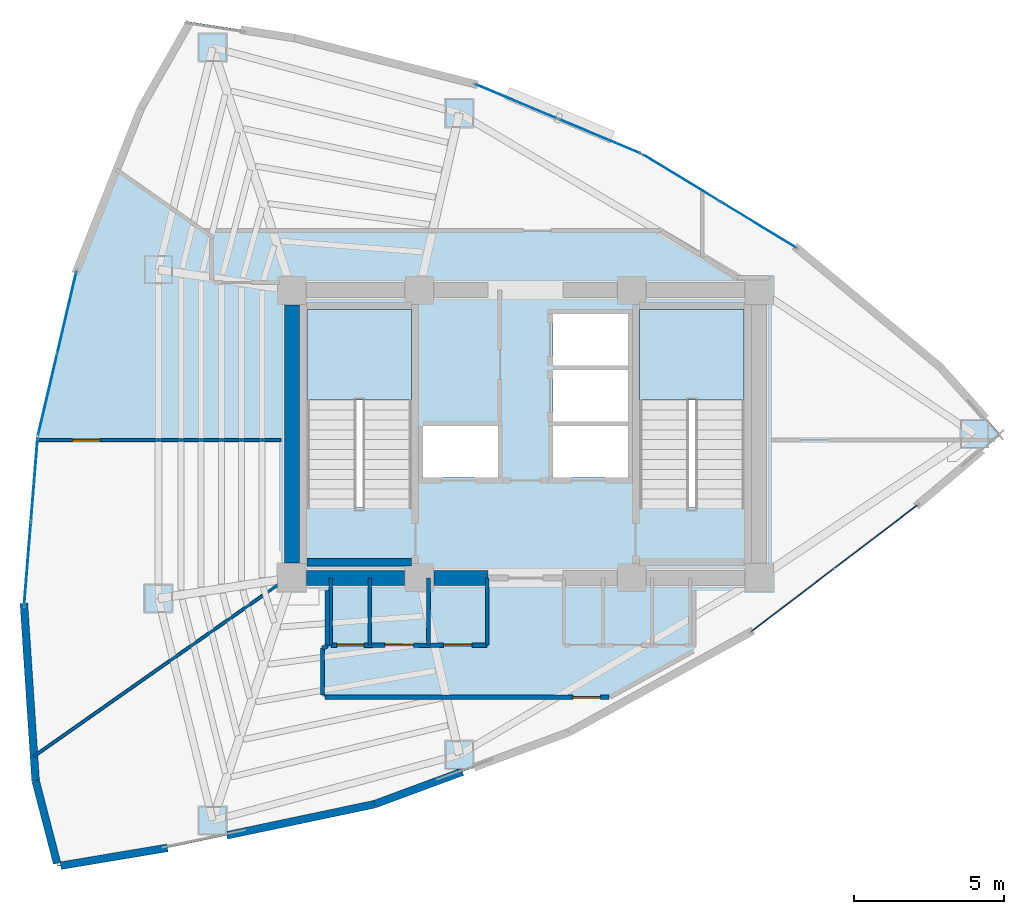
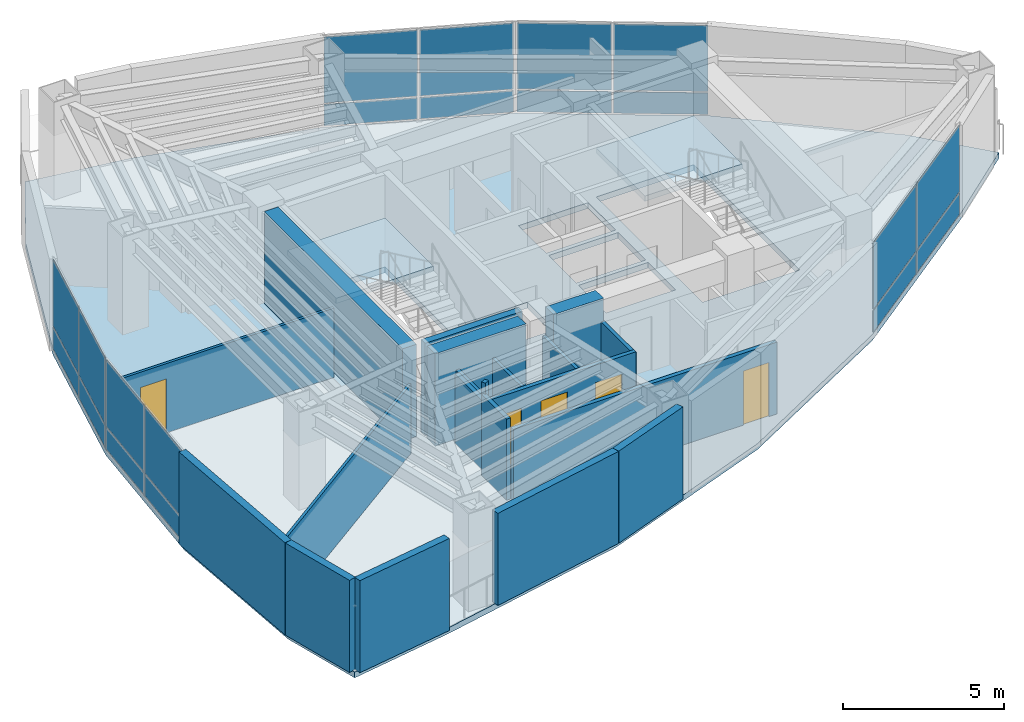
# One storey, part 11 of 15: 20 plates, 20 walls, 5 doors, 3 slabs, 5 openings, 7 elements without a shape of their own.
"""IFC4 building model written with IfcOpenShell, lengths in metres."""

from ifc_helpers import new_model, si_unit, direction, frame, frame_2d, origin, origin_2d, place, context, subcontext, project, spatial, polyline, rectangle, outline, extrude, material, layer, layer_set, type_object, element, fill, aggregate, save


model = new_model("IFC4")

# Units and contexts
model_context = context("Model", 3, precision=1e-05, world=origin(), true_north=direction((0.0, 1.0)))
body_context = subcontext(model_context, "Body", "Model", "MODEL_VIEW")
ifc_project = project(units=[si_unit("LENGTHUNIT", "METRE"), si_unit("AREAUNIT", "SQUARE_METRE"), si_unit("VOLUMEUNIT", "CUBIC_METRE"), si_unit("PLANEANGLEUNIT", "RADIAN"), si_unit("MASSUNIT", "GRAM", prefix="KILO")], contexts=[model_context])

# Site, building, storey
site_placement = place(None, origin())
site = spatial("IfcSite", under=ifc_project, at=site_placement, CompositionType="ELEMENT")
building_placement = place(site_placement, origin())
building = spatial("IfcBuilding", under=site, at=building_placement, Name="Menara Vayukalpa", CompositionType="ELEMENT")
storey_placement = place(building_placement, frame((0.0, 0.0, 176.639892578125)))
storey = spatial("IfcBuildingStorey", under=building, at=storey_placement, Name="L44", CompositionType="ELEMENT", Elevation=176.639892578125)

# Curtain wall, plates
ifc_material_1 = material(Name="Anodised Terracotta Aluminium Alloy 6063-T6", Category="masonry")
ifc_layer_1 = layer(ifc_material_1, 0.139892578125)
ifc_layer_set_1 = layer_set([ifc_layer_1], Name="Anodised Terracotta Aluminium Alloy 6063-T6")
curtain_wall_type = type_object("IfcCurtainWallType", Name="CW-CW5", PredefinedType="USERDEFINED", material=ifc_layer_set_1)
curtain_wall_1_placement = place(storey_placement, origin())
curtain_wall_1 = element("IfcCurtainWall", 1, at=curtain_wall_1_placement, inside=storey, type_object=curtain_wall_type, Name="L44 High Rise Tapered Curtain Wall CW5 04", ObjectType="UNITISED", PredefinedType="USERDEFINED")
ifc_material_2 = material(Name="Low-E Double Glazing", Category="glass")
ifc_layer_2 = layer(ifc_material_2, 0.028076171875)
ifc_layer_set_2 = layer_set([ifc_layer_2], Name="Low-E Double Glazing")
plate_type = type_object("IfcPlateType", Name="CWP-CW5", PredefinedType="CURTAIN_PANEL", material=ifc_layer_set_2)
plate_1_placement = place(storey_placement, frame((33.358642578125, 28.994384765625, 0.06005859375), z_axis=(0.0, 0.0, 1.0), x_axis=(-0.854664974832, 0.519179911779, 0.0)))
plate_1 = element("IfcPlate", 2, at=plate_1_placement, type_object=plate_type, Name="CW5 panel 1.1", PredefinedType="CURTAIN_PANEL", context=body_context, shape_type="SweptSolid", body=[
    extrude(rectangle(XDim=2.9423828125, YDim=0.028076171875, at=origin_2d()), origin(), (0.0, 0.0, 1.0), 0.81005859375),
])
plate_2_placement = place(storey_placement, frame((33.358642578125, 28.994384765625, 0.93017578125), z_axis=(0.0, 0.0, 1.0), x_axis=(-0.854664974832, 0.519179911779, 0.0)))
plate_2 = element("IfcPlate", 3, at=plate_2_placement, type_object=plate_type, Name="CW5 panel 1.2", PredefinedType="CURTAIN_PANEL", context=body_context, shape_type="SweptSolid", body=[
    extrude(rectangle(XDim=2.9423828125, YDim=0.028076171875, at=origin_2d()), origin(), (0.0, 0.0, 1.0), 2.510009765625),
])
plate_3_placement = place(storey_placement, frame((30.79248046875, 30.55322265625, 0.06005859375), z_axis=(0.0, 0.0, 1.0), x_axis=(-0.854664974832, 0.519179911779, 0.0)))
plate_3 = element("IfcPlate", 4, at=plate_3_placement, type_object=plate_type, Name="CW5 panel 2.1", PredefinedType="CURTAIN_PANEL", context=body_context, shape_type="SweptSolid", body=[
    extrude(rectangle(XDim=2.9423828125, YDim=0.028076171875, at=origin_2d()), origin(), (0.0, 0.0, 1.0), 0.81005859375),
])
plate_4_placement = place(storey_placement, frame((30.79248046875, 30.55322265625, 0.93017578125), z_axis=(0.0, 0.0, 1.0), x_axis=(-0.854664974832, 0.519179911779, 0.0)))
plate_4 = element("IfcPlate", 5, at=plate_4_placement, type_object=plate_type, Name="CW5 panel 2.2", PredefinedType="CURTAIN_PANEL", context=body_context, shape_type="SweptSolid", body=[
    extrude(rectangle(XDim=2.9423828125, YDim=0.028076171875, at=origin_2d()), origin(), (0.0, 0.0, 1.0), 2.510009765625),
])
aggregate(curtain_wall_1, [plate_1, plate_2, plate_3, plate_4])

curtain_wall_2_placement = place(storey_placement, origin())
curtain_wall_2 = element("IfcCurtainWall", 6, at=curtain_wall_2_placement, inside=storey, type_object=curtain_wall_type, Name="L44 High Rise Tapered Curtain Wall CW5 05", ObjectType="UNITISED", PredefinedType="USERDEFINED")
plate_5_placement = place(storey_placement, frame((28.071044921875, 31.93896484375, 0.06005859375), z_axis=(0.0, 0.0, 1.0), x_axis=(-0.922539431351, 0.385902834406, 0.0)))
plate_5 = element("IfcPlate", 7, at=plate_5_placement, type_object=plate_type, Name="CW5 panel 1.1", PredefinedType="CURTAIN_PANEL", context=body_context, shape_type="SweptSolid", body=[
    extrude(rectangle(XDim=2.9423828125, YDim=0.028076171875, at=origin_2d()), origin(), (0.0, 0.0, 1.0), 0.81005859375),
])
plate_6_placement = place(storey_placement, frame((28.071044921875, 31.93896484375, 0.93017578125), z_axis=(0.0, 0.0, 1.0), x_axis=(-0.922539431351, 0.385902834406, 0.0)))
plate_6 = element("IfcPlate", 8, at=plate_6_placement, type_object=plate_type, Name="CW5 panel 1.2", PredefinedType="CURTAIN_PANEL", context=body_context, shape_type="SweptSolid", body=[
    extrude(rectangle(XDim=2.9423828125, YDim=0.028076171875, at=origin_2d()), origin(), (0.0, 0.0, 1.0), 2.510009765625),
])
plate_7_placement = place(storey_placement, frame((25.30126953125, 33.09765625, 0.06005859375), z_axis=(0.0, 0.0, 1.0), x_axis=(-0.922539431351, 0.385902834406, 0.0)))
plate_7 = element("IfcPlate", 9, at=plate_7_placement, type_object=plate_type, Name="CW5 panel 2.1", PredefinedType="CURTAIN_PANEL", context=body_context, shape_type="SweptSolid", body=[
    extrude(rectangle(XDim=2.9423828125, YDim=0.028076171875, at=origin_2d()), origin(), (0.0, 0.0, 1.0), 0.81005859375),
])
plate_8_placement = place(storey_placement, frame((25.30126953125, 33.09765625, 0.93017578125), z_axis=(0.0, 0.0, 1.0), x_axis=(-0.922539431351, 0.385902834406, 0.0)))
plate_8 = element("IfcPlate", 10, at=plate_8_placement, type_object=plate_type, Name="CW5 panel 2.2", PredefinedType="CURTAIN_PANEL", context=body_context, shape_type="SweptSolid", body=[
    extrude(rectangle(XDim=2.9423828125, YDim=0.028076171875, at=origin_2d()), origin(), (0.0, 0.0, 1.0), 2.510009765625),
])
aggregate(curtain_wall_2, [plate_5, plate_6, plate_7, plate_8])

curtain_wall_3_placement = place(storey_placement, origin())
curtain_wall_3 = element("IfcCurtainWall", 11, at=curtain_wall_3_placement, inside=storey, type_object=curtain_wall_type, Name="L44 High Rise Tapered Curtain Wall CW5 10", ObjectType="UNITISED", PredefinedType="USERDEFINED")
plate_9_placement = place(storey_placement, frame((10.291015625, 26.061279296875, 0.06005859375), z_axis=(0.0, 0.0, 1.0), x_axis=(-0.228148946052, -0.973626241643, 0.0)))
plate_9 = element("IfcPlate", 12, at=plate_9_placement, type_object=plate_type, Name="CW5 panel 1.1", PredefinedType="CURTAIN_PANEL", context=body_context, shape_type="SweptSolid", body=[
    extrude(rectangle(XDim=2.758544921875, YDim=0.028076171875, at=origin_2d()), origin(), (0.0, 0.0, 1.0), 0.81005859375),
])
plate_10_placement = place(storey_placement, frame((10.291015625, 26.061279296875, 0.93017578125), z_axis=(0.0, 0.0, 1.0), x_axis=(-0.228148946052, -0.973626241643, 0.0)))
plate_10 = element("IfcPlate", 13, at=plate_10_placement, type_object=plate_type, Name="CW5 panel 1.2", PredefinedType="CURTAIN_PANEL", context=body_context, shape_type="SweptSolid", body=[
    extrude(rectangle(XDim=2.758544921875, YDim=0.028076171875, at=origin_2d()), origin(), (0.0, 0.0, 1.0), 2.510009765625),
])
plate_11_placement = place(storey_placement, frame((9.64794921875, 23.317138671875, 0.06005859375), z_axis=(0.0, 0.0, 1.0), x_axis=(-0.228148946052, -0.973626241643, 0.0)))
plate_11 = element("IfcPlate", 14, at=plate_11_placement, type_object=plate_type, Name="CW5 panel 2.1", PredefinedType="CURTAIN_PANEL", context=body_context, shape_type="SweptSolid", body=[
    extrude(rectangle(XDim=2.758544921875, YDim=0.028076171875, at=origin_2d()), origin(), (0.0, 0.0, 1.0), 0.81005859375),
])
plate_12_placement = place(storey_placement, frame((9.64794921875, 23.317138671875, 0.93017578125), z_axis=(0.0, 0.0, 1.0), x_axis=(-0.228148946052, -0.973626241643, 0.0)))
plate_12 = element("IfcPlate", 15, at=plate_12_placement, type_object=plate_type, Name="CW5 panel 2.2", PredefinedType="CURTAIN_PANEL", context=body_context, shape_type="SweptSolid", body=[
    extrude(rectangle(XDim=2.758544921875, YDim=0.028076171875, at=origin_2d()), origin(), (0.0, 0.0, 1.0), 2.510009765625),
])
aggregate(curtain_wall_3, [plate_9, plate_10, plate_11, plate_12])

curtain_wall_4_placement = place(storey_placement, origin())
curtain_wall_4 = element("IfcCurtainWall", 16, at=curtain_wall_4_placement, inside=storey, type_object=curtain_wall_type, Name="L44 High Rise Tapered Curtain Wall CW5 11", ObjectType="UNITISED", PredefinedType="USERDEFINED")
plate_13_placement = place(storey_placement, frame((9.203857421875, 20.48095703125, 0.06005859375), z_axis=(0.0, 0.0, 1.0), x_axis=(-0.080373782609, -0.996764794256, 0.0)))
plate_13 = element("IfcPlate", 17, at=plate_13_placement, type_object=plate_type, Name="CW5 panel 1.1", PredefinedType="CURTAIN_PANEL", context=body_context, shape_type="SweptSolid", body=[
    extrude(rectangle(XDim=2.758544921875, YDim=0.028076171875, at=origin_2d()), origin(), (0.0, 0.0, 1.0), 0.81005859375),
])
plate_14_placement = place(storey_placement, frame((9.203857421875, 20.48095703125, 0.93017578125), z_axis=(0.0, 0.0, 1.0), x_axis=(-0.080373782609, -0.996764794256, 0.0)))
plate_14 = element("IfcPlate", 18, at=plate_14_placement, type_object=plate_type, Name="CW5 panel 1.2", PredefinedType="CURTAIN_PANEL", context=body_context, shape_type="SweptSolid", body=[
    extrude(rectangle(XDim=2.758544921875, YDim=0.028076171875, at=origin_2d()), origin(), (0.0, 0.0, 1.0), 2.510009765625),
])
plate_15_placement = place(storey_placement, frame((8.977294921875, 17.671630859375, 0.06005859375), z_axis=(0.0, 0.0, 1.0), x_axis=(-0.080373782609, -0.996764794256, 0.0)))
plate_15 = element("IfcPlate", 19, at=plate_15_placement, type_object=plate_type, Name="CW5 panel 2.1", PredefinedType="CURTAIN_PANEL", context=body_context, shape_type="SweptSolid", body=[
    extrude(rectangle(XDim=2.758544921875, YDim=0.028076171875, at=origin_2d()), origin(), (0.0, 0.0, 1.0), 0.81005859375),
])
plate_16_placement = place(storey_placement, frame((8.977294921875, 17.671630859375, 0.93017578125), z_axis=(0.0, 0.0, 1.0), x_axis=(-0.080373782609, -0.996764794256, 0.0)))
plate_16 = element("IfcPlate", 20, at=plate_16_placement, type_object=plate_type, Name="CW5 panel 2.2", PredefinedType="CURTAIN_PANEL", context=body_context, shape_type="SweptSolid", body=[
    extrude(rectangle(XDim=2.758544921875, YDim=0.028076171875, at=origin_2d()), origin(), (0.0, 0.0, 1.0), 2.510009765625),
])
aggregate(curtain_wall_4, [plate_13, plate_14, plate_15, plate_16])

curtain_wall_5_placement = place(storey_placement, origin())
curtain_wall_5 = element("IfcCurtainWall", 21, at=curtain_wall_5_placement, inside=storey, type_object=curtain_wall_type, Name="L44 High Rise Tapered Curtain Wall CW5 19", ObjectType="UNITISED", PredefinedType="USERDEFINED")
plate_17_placement = place(storey_placement, frame((34.515869140625, 16.457275390625, 0.06005859375), z_axis=(0.0, 0.0, 1.0), x_axis=(0.795814608589, 0.60554034445, 0.0)))
plate_17 = element("IfcPlate", 22, at=plate_17_placement, type_object=plate_type, Name="CW5 panel 1.1", PredefinedType="CURTAIN_PANEL", context=body_context, shape_type="SweptSolid", body=[
    extrude(rectangle(XDim=3.44287109375, YDim=0.028076171875, at=origin_2d()), origin(), (0.0, 0.0, 1.0), 0.81005859375),
])
plate_18_placement = place(storey_placement, frame((34.515869140625, 16.457275390625, 0.93017578125), z_axis=(0.0, 0.0, 1.0), x_axis=(0.795814608589, 0.60554034445, 0.0)))
plate_18 = element("IfcPlate", 23, at=plate_18_placement, type_object=plate_type, Name="CW5 panel 1.2", PredefinedType="CURTAIN_PANEL", context=body_context, shape_type="SweptSolid", body=[
    extrude(rectangle(XDim=3.44287109375, YDim=0.028076171875, at=origin_2d()), origin(), (0.0, 0.0, 1.0), 2.510009765625),
])
plate_19_placement = place(storey_placement, frame((37.303466796875, 18.578369140625, 0.06005859375), z_axis=(0.0, 0.0, 1.0), x_axis=(0.795814608589, 0.60554034445, 0.0)))
plate_19 = element("IfcPlate", 24, at=plate_19_placement, type_object=plate_type, Name="CW5 panel 2.1", PredefinedType="CURTAIN_PANEL", context=body_context, shape_type="SweptSolid", body=[
    extrude(rectangle(XDim=3.44287109375, YDim=0.028076171875, at=origin_2d()), origin(), (0.0, 0.0, 1.0), 0.81005859375),
])
plate_20_placement = place(storey_placement, frame((37.303466796875, 18.578369140625, 0.93017578125), z_axis=(0.0, 0.0, 1.0), x_axis=(0.795814608589, 0.60554034445, 0.0)))
plate_20 = element("IfcPlate", 25, at=plate_20_placement, type_object=plate_type, Name="CW5 panel 2.2", PredefinedType="CURTAIN_PANEL", context=body_context, shape_type="SweptSolid", body=[
    extrude(rectangle(XDim=3.44287109375, YDim=0.028076171875, at=origin_2d()), origin(), (0.0, 0.0, 1.0), 2.510009765625),
])
aggregate(curtain_wall_5, [plate_17, plate_18, plate_19, plate_20])

# Slab
ifc_material_3 = material(Name="Concrete C40/50", Category="concrete")
ifc_layer_3 = layer(ifc_material_3, 0.219970703125)
ifc_layer_set_3 = layer_set([ifc_layer_3], Name="Concrete C40/50")
slab_type_1 = type_object("IfcSlabType", Name="SLB-FL220", PredefinedType="FLOOR", material=ifc_layer_set_3)
slab_1_placement = place(storey_placement, frame((0.0, 0.0, -0.219970703125)))
element("IfcSlab", 26, at=slab_1_placement, inside=storey, type_object=slab_type_1, Name="L44 Structural Floor Slab", PredefinedType="FLOOR", context=body_context, shape_type="SweptSolid", body=[
    extrude(outline(polyline([(38.72119140625, 19.656982421875), (41.4609375, 21.974853515625), (39.439208984375, 24.2421875), (34.667236328125, 28.19921875), (29.48388671875, 31.34814453125), (23.888671875, 33.688720703125), (17.881591796875, 35.220703125), (14.400390625, 35.755859375), (12.76123046875, 32.877685546875), (10.619384765625, 27.462646484375), (9.319580078125, 21.915771484375), (8.86181640625, 16.237060546875), (9.24560546875, 10.426513671875), (9.9873046875, 7.573486328125), (13.648193359375, 8.184326171875), (20.56201171875, 9.64208984375), (27.045166015625, 12.040283203125), (33.098388671875, 15.37841796875), (38.72119140625, 19.656982421875)]), holes=[polyline([(21.800048828125, 19.550048828125), (21.800048828125, 26.14990234375), (18.300048828125, 26.14990234375), (18.300048828125, 19.550048828125), (21.800048828125, 19.550048828125)]), polyline([(32.89990234375, 19.550048828125), (32.89990234375, 26.14990234375), (29.39990234375, 26.14990234375), (29.39990234375, 19.550048828125), (32.89990234375, 19.550048828125)]), polyline([(22.179931640625, 20.550048828125), (24.679931640625, 20.550048828125), (24.679931640625, 22.27001953125), (22.179931640625, 22.27001953125), (22.179931640625, 20.550048828125)]), polyline([(26.52001953125, 20.550048828125), (29.02001953125, 20.550048828125), (29.02001953125, 22.27001953125), (26.52001953125, 22.27001953125), (26.52001953125, 20.550048828125)]), polyline([(26.52001953125, 24.2900390625), (29.02001953125, 24.2900390625), (29.02001953125, 26.010009765625), (26.52001953125, 26.010009765625), (26.52001953125, 24.2900390625)]), polyline([(26.52001953125, 22.419921875), (29.02001953125, 22.419921875), (29.02001953125, 24.139892578125), (26.52001953125, 24.139892578125), (26.52001953125, 22.419921875)])]), origin(), (0.0, 0.0, 1.0), 0.219970703125),
])

# Stair, slab
ifc_material_4 = material(Name="Precast Concrete C40/50", Category="concrete")
stair_type = type_object("IfcStairType", Name="STR-T04", PredefinedType="DOUBLE_RETURN_STAIR", material=ifc_material_4)
stair_1_placement = place(storey_placement, origin())
stair_1 = element("IfcStair", 27, at=stair_1_placement, inside=storey, type_object=stair_type, Name="L44 Core Exit Stair ST-1", PredefinedType="DOUBLE_RETURN_STAIR")
ifc_material_5 = material(Name="Precast Concrete C40/50", Category="concrete")
ifc_layer_4 = layer(ifc_material_5, 0.199951171875)
ifc_layer_set_4 = layer_set([ifc_layer_4], Name="Precast Concrete C40/50")
slab_type_2 = type_object("IfcSlabType", Name="SLB-LND200", PredefinedType="LANDING", material=ifc_layer_set_4)
slab_2_placement = place(storey_placement, frame((0.0, 0.0, 1.66015625)))
slab_2 = element("IfcSlab", 28, at=slab_2_placement, type_object=slab_type_2, Name="ST-1 landing 1", PredefinedType="LANDING", context=body_context, shape_type="SweptSolid", body=[
    extrude(outline(polyline([(21.800048828125, 23.1298828125), (21.800048828125, 26.14990234375), (18.300048828125, 26.14990234375), (18.300048828125, 23.1298828125), (21.800048828125, 23.1298828125)])), origin(), (0.0, 0.0, 1.0), 0.199951171875),
])
aggregate(stair_1, [slab_2])

stair_2_placement = place(storey_placement, origin())
stair_2 = element("IfcStair", 29, at=stair_2_placement, inside=storey, type_object=stair_type, Name="L44 Core Exit Stair ST-2", PredefinedType="DOUBLE_RETURN_STAIR")
slab_3_placement = place(storey_placement, frame((0.0, 0.0, 1.66015625)))
slab_3 = element("IfcSlab", 30, at=slab_3_placement, type_object=slab_type_2, Name="ST-2 landing 1", PredefinedType="LANDING", context=body_context, shape_type="SweptSolid", body=[
    extrude(outline(polyline([(32.89990234375, 23.1298828125), (32.89990234375, 26.14990234375), (29.39990234375, 26.14990234375), (29.39990234375, 23.1298828125), (32.89990234375, 23.1298828125)])), origin(), (0.0, 0.0, 1.0), 0.199951171875),
])
aggregate(stair_2, [slab_3])

# Walls
ifc_material_6 = material(Name="Concrete C60/75", Category="concrete")
ifc_layer_5 = layer(ifc_material_6, 0.5)
ifc_layer_set_5 = layer_set([ifc_layer_5], Name="Concrete C60/75")
wall_type_1 = type_object("IfcWallType", Name="WAL-CW500", PredefinedType="SHEAR", material=ifc_layer_set_5)
wall_1_placement = place(storey_placement, frame((18.294921875, 17.199951171875, 0.0), z_axis=(0.0, 0.0, 1.0), x_axis=(1.0, 0.0, 0.0)))
element("IfcWall", 31, at=wall_1_placement, inside=storey, type_object=wall_type_1, Name="L44 Buttressed Core Shear Wall CWS1", PredefinedType="SHEAR", context=body_context, shape_type="SweptSolid", body=[
    extrude(rectangle(XDim=3.260009765625, YDim=0.5, at=frame_2d((1.6298828125, 0.0))), origin(), (0.0, 0.0, 1.0), 3.5),
])
wall_2_placement = place(storey_placement, frame((22.544921875, 17.199951171875, 0.0), z_axis=(0.0, 0.0, 1.0), x_axis=(1.0, 0.0, 0.0)))
element("IfcWall", 32, at=wall_2_placement, inside=storey, type_object=wall_type_1, Name="L44 Buttressed Core Shear Wall CWS2", PredefinedType="SHEAR", context=body_context, shape_type="SweptSolid", body=[
    extrude(rectangle(XDim=1.80517578125, YDim=0.5, at=frame_2d((0.902587890625, 0.0))), origin(), (0.0, 0.0, 1.0), 3.5),
])
wall_3_placement = place(storey_placement, frame((17.800048828125, 17.695068359375, 0.0), z_axis=(0.0, 0.0, 1.0), x_axis=(0.0, 1.0, 0.0)))
element("IfcWall", 33, at=wall_3_placement, inside=storey, type_object=wall_type_1, Name="L44 Buttressed Core Shear Wall CWW1", PredefinedType="SHEAR", context=body_context, shape_type="SweptSolid", body=[
    extrude(rectangle(XDim=8.60986328125, YDim=0.5, at=frame_2d((4.304931640625, 0.0))), origin(), (0.0, 0.0, 1.0), 3.5),
])
ifc_material_7 = material(Name="Insulated Precast Concrete C40/50", Category="concrete")
ifc_layer_6 = layer(ifc_material_7, 0.260009765625)
ifc_layer_set_6 = layer_set([ifc_layer_6], Name="Insulated Precast Concrete C40/50")
wall_type_2 = type_object("IfcWallType", Name="WAL-EXT260", PredefinedType="PARTITIONING", material=ifc_layer_set_6)
wall_4_placement = place(storey_placement, frame((9.24560546875, 10.427734375, 0.0), z_axis=(0.0, 0.0, 1.0), x_axis=(-0.065934416021, 0.997823958814, 0.0)))
element("IfcWall", 34, at=wall_4_placement, inside=storey, type_object=wall_type_2, Name="L44 Perimeter Terracotta Pier Wall 12", PredefinedType="PARTITIONING", context=body_context, shape_type="SweptSolid", body=[
    extrude(rectangle(XDim=5.931884765625, YDim=0.260009765625, at=frame_2d((2.9658203125, 0.0))), origin(), (0.0, 0.0, 1.0), 3.5),
])
wall_5_placement = place(storey_placement, frame((9.962646484375, 7.6689453125, 0.0), z_axis=(0.0, 0.0, 1.0), x_axis=(-0.251601733001, 0.967830857098, 0.0)))
element("IfcWall", 35, at=wall_5_placement, inside=storey, type_object=wall_type_2, Name="L44 Perimeter Terracotta Pier Wall 13", PredefinedType="PARTITIONING", context=body_context, shape_type="SweptSolid", body=[
    extrude(rectangle(XDim=2.847900390625, YDim=0.260009765625, at=frame_2d((1.423828125, 0.0))), origin(), (0.0, 0.0, 1.0), 3.5),
])
wall_6_placement = place(storey_placement, frame((13.648193359375, 8.184326171875, 0.0), z_axis=(0.0, 0.0, 1.0), x_axis=(-0.986357371246, -0.164618152669, 0.0)))
element("IfcWall", 36, at=wall_6_placement, inside=storey, type_object=wall_type_2, Name="L44 Perimeter Terracotta Pier Wall 14", PredefinedType="PARTITIONING", context=body_context, shape_type="SweptSolid", body=[
    extrude(rectangle(XDim=3.61279296875, YDim=0.260009765625, at=frame_2d((1.806396484375, 0.0))), origin(), (0.0, 0.0, 1.0), 3.5),
])
wall_7_placement = place(storey_placement, frame((20.56201171875, 9.64208984375, 0.0), z_axis=(0.0, 0.0, 1.0), x_axis=(-0.978488082144, -0.206303352137, 0.0)))
element("IfcWall", 37, at=wall_7_placement, inside=storey, type_object=wall_type_2, Name="L44 Perimeter Terracotta Pier Wall 15", PredefinedType="PARTITIONING", context=body_context, shape_type="SweptSolid", body=[
    extrude(rectangle(XDim=5.041259765625, YDim=0.260009765625, at=frame_2d((2.5205078125, 0.0))), origin(), (0.0, 0.0, 1.0), 3.5),
])
wall_8_placement = place(storey_placement, frame((23.494873046875, 10.72705078125, 0.0), z_axis=(0.0, 0.0, 1.0), x_axis=(-0.937882421791, -0.346953257508, 0.0)))
element("IfcWall", 38, at=wall_8_placement, inside=storey, type_object=wall_type_2, Name="L44 Perimeter Terracotta Pier Wall 16", PredefinedType="PARTITIONING", context=body_context, shape_type="SweptSolid", body=[
    extrude(rectangle(XDim=3.127197265625, YDim=0.260009765625, at=frame_2d((1.5634765625, 0.0))), origin(), (0.0, 0.0, 1.0), 3.5),
])

# Wall, opening, door
ifc_material_8 = material(Name="Glazed Demountable Office Partition", Category="glass")
ifc_layer_7 = layer(ifc_material_8, 0.094970703125)
ifc_layer_set_7 = layer_set([ifc_layer_7], Name="Glazed Demountable Office Partition")
wall_type_3 = type_object("IfcWallType", Name="WAL-PT100", PredefinedType="PARTITIONING", material=ifc_layer_set_7)
wall_9_placement = place(storey_placement, frame((9.30029296875, 21.800048828125, 0.0), z_axis=(0.0, 0.0, 1.0), x_axis=(1.0, 0.0, 0.0)))
wall_9 = element("IfcWall", 39, at=wall_9_placement, inside=storey, type_object=wall_type_3, Name="L44 Interior Partition IW-L44-RDIV02", PredefinedType="PARTITIONING", context=body_context, shape_type="SweptSolid", body=[
    extrude(rectangle(XDim=8.129638671875, YDim=0.094970703125, at=frame_2d((4.06494140625, 0.0))), origin(), (0.0, 0.0, 1.0), 2.630126953125),
])
opening_1_placement = place(wall_9_placement, frame((1.179931640625, 0.0, 0.0)))
opening_1 = element("IfcOpeningElement", 40, at=opening_1_placement, cuts=wall_9, Name="Opening ID6", PredefinedType="OPENING", context=body_context, shape_type="SweptSolid", body=[
    extrude(rectangle(XDim=0.919921875, YDim=2.050048828125, at=frame_2d((0.4599609375, 1.02490234375))), frame((0.0, 0.057373046875, 0.0), z_axis=(0.0, -1.0, 0.0), x_axis=(1.0, 0.0, 0.0)), (0.0, 0.0, 1.0), 0.114990234375),
])
ifc_material_9 = material(Name="Acoustic Hardwood Veneer Timber Door", Category="wood")
door_type_1 = type_object("IfcDoorType", Name="DR-INT92", OperationType="NOTDEFINED", PredefinedType="DOOR", material=ifc_material_9)
door_1_placement = place(opening_1_placement, origin())
door_1 = element("IfcDoor", 41, at=door_1_placement, inside=storey, type_object=door_type_1, Name="L44 Interior Door DR-L44-STE01", OperationType="SINGLE_SWING_LEFT", OverallHeight=2.050048828125, OverallWidth=0.919921875, PredefinedType="DOOR", context=body_context, shape_type="SweptSolid", body=[
    extrude(rectangle(XDim=0.919921875, YDim=2.050048828125, at=frame_2d((0.4599609375, 1.02490234375))), frame((0.0, 0.02490234375, 0.0), z_axis=(0.0, -1.0, 0.0), x_axis=(1.0, 0.0, 0.0)), (0.0, 0.0, 1.0), 0.050048828125),
])
fill(opening_1, door_1)

# Walls
wall_10_placement = place(storey_placement, frame((9.18212890625, 11.236083984375, 0.0), z_axis=(0.0, 0.0, 1.0), x_axis=(0.818184922636, 0.574955156835, 0.0)))
element("IfcWall", 42, at=wall_10_placement, inside=storey, type_object=wall_type_3, Name="L44 Interior Partition IW-L44-RDIV04", PredefinedType="PARTITIONING", context=body_context, shape_type="SweptSolid", body=[
    extrude(rectangle(XDim=10.08056640625, YDim=0.094970703125, at=frame_2d((5.040283203125, 0.0))), origin(), (0.0, 0.0, 1.0), 2.630126953125),
])
ifc_material_10 = material(Name="Acoustic Mineral Stud Partition", Category="masonry")
ifc_layer_8 = layer(ifc_material_10, 0.110107421875)
ifc_layer_set_8 = layer_set([ifc_layer_8], Name="Acoustic Mineral Stud Partition")
wall_type_4 = type_object("IfcWallType", Name="WAL-PT110", PredefinedType="PARTITIONING", material=ifc_layer_set_8)
wall_11_placement = place(storey_placement, frame((20.39990234375, 14.949951171875, 0.0), z_axis=(0.0, 0.0, 1.0), x_axis=(0.0, 1.0, 0.0)))
element("IfcWall", 43, at=wall_11_placement, inside=storey, type_object=wall_type_4, Name="L44 Interior Partition IW-L44-SVCD-02", PredefinedType="PARTITIONING", context=body_context, shape_type="SweptSolid", body=[
    extrude(rectangle(XDim=2.25, YDim=0.110107421875, at=frame_2d((1.125, 0.0))), origin(), (0.0, 0.0, 1.0), 2.630126953125),
])
ifc_material_11 = material(Name="Gypsum Drywall Steel Stud Assembly", Category="steel")
ifc_layer_9 = layer(ifc_material_11, 0.125)
ifc_layer_set_9 = layer_set([ifc_layer_9], Name="Gypsum Drywall Steel Stud Assembly")
wall_type_5 = type_object("IfcWallType", Name="WAL-PT125", PredefinedType="PARTITIONING", material=ifc_layer_set_9)
for number, where, z_axis, x_axis, name in (
    (44, (19.10009765625, 14.949951171875, 0.0), (0.0, 0.0, 1.0), (0.0, 1.0, 0.0), "L44 Interior Partition IW-L44-SVCD-01"),
    (45, (22.360107421875, 14.949951171875, 0.0), (0.0, 0.0, 1.0), (0.0, 1.0, 0.0), "L44 Interior Partition IW-L44-SVCD-03"),
    (46, (24.320068359375, 14.949951171875, 0.0), (0.0, 0.0, 1.0), (0.0, 1.0, 0.0), "L44 Interior Partition IW-L44-SVCD-04"),
):
    element("IfcWall", number, at=place(storey_placement, frame(where, z_axis=z_axis, x_axis=x_axis)), inside=storey, type_object=wall_type_5, Name=name, PredefinedType="PARTITIONING", context=body_context, shape_type="SweptSolid", body=[
        extrude(rectangle(XDim=2.25, YDim=0.125, at=frame_2d((1.125, 0.0))), origin(), (0.0, 0.0, 1.0), 2.630126953125),
    ])

# Wall, openings, doors
ifc_material_12 = material(Name="Gypsum Drywall Acoustic Stud Assembly", Category="masonry")
ifc_layer_10 = layer(ifc_material_12, 0.14501953125)
ifc_layer_set_10 = layer_set([ifc_layer_10], Name="Gypsum Drywall Acoustic Stud Assembly")
wall_type_6 = type_object("IfcWallType", Name="WAL-PT150", PredefinedType="PARTITIONING", material=ifc_layer_set_10)
wall_12_placement = place(storey_placement, frame((19.10009765625, 14.949951171875, 0.0), z_axis=(0.0, 0.0, 1.0), x_axis=(1.0, 0.0, 0.0)))
wall_12 = element("IfcWall", 47, at=wall_12_placement, inside=storey, type_object=wall_type_6, Name="L44 Interior Partition IW-L44-SVCS-W", PredefinedType="PARTITIONING", context=body_context, shape_type="SweptSolid", body=[
    extrude(rectangle(XDim=5.219970703125, YDim=0.14501953125, at=frame_2d((2.60986328125, 0.0))), origin(), (0.0, 0.0, 1.0), 2.730224609375),
])
opening_2_placement = place(wall_12_placement, frame((0.199951171875, 0.0, 0.0)))
opening_2 = element("IfcOpeningElement", 48, at=opening_2_placement, cuts=wall_12, Name="Opening ID7", PredefinedType="OPENING", context=body_context, shape_type="SweptSolid", body=[
    extrude(rectangle(XDim=0.89990234375, YDim=2.02001953125, at=frame_2d((0.449951171875, 1.010009765625))), frame((0.0, 0.08251953125, 0.0), z_axis=(0.0, -1.0, 0.0), x_axis=(1.0, 0.0, 0.0)), (0.0, 0.0, 1.0), 0.1650390625),
])
opening_3_placement = place(wall_12_placement, frame((1.804931640625, 0.0, 0.0)))
opening_3 = element("IfcOpeningElement", 49, at=opening_3_placement, cuts=wall_12, Name="Opening ID5", PredefinedType="OPENING", context=body_context, shape_type="SweptSolid", body=[
    extrude(rectangle(XDim=0.949951171875, YDim=2.06005859375, at=frame_2d((0.47509765625, 1.030029296875))), frame((0.0, 0.08251953125, 0.0), z_axis=(0.0, -1.0, 0.0), x_axis=(1.0, 0.0, 0.0)), (0.0, 0.0, 1.0), 0.1650390625),
])
opening_4_placement = place(wall_12_placement, frame((3.764892578125, 0.0, 0.0)))
opening_4 = element("IfcOpeningElement", 50, at=opening_4_placement, cuts=wall_12, Name="Opening ID5", PredefinedType="OPENING", context=body_context, shape_type="SweptSolid", body=[
    extrude(rectangle(XDim=0.949951171875, YDim=2.06005859375, at=frame_2d((0.47509765625, 1.030029296875))), frame((0.0, 0.08251953125, 0.0), z_axis=(0.0, -1.0, 0.0), x_axis=(1.0, 0.0, 0.0)), (0.0, 0.0, 1.0), 0.1650390625),
])
ifc_material_13 = material(Name="Acoustic Hardwood Veneer Timber Door", Category="wood")
door_type_2 = type_object("IfcDoorType", Name="DR-INT95", OperationType="NOTDEFINED", PredefinedType="DOOR", material=ifc_material_13)
door_2_placement = place(opening_3_placement, origin())
door_2 = element("IfcDoor", 51, at=door_2_placement, inside=storey, type_object=door_type_2, Name="L44 Interior Door DR-L44-AWC", OperationType="SINGLE_SWING_LEFT", OverallHeight=2.06005859375, OverallWidth=0.949951171875, PredefinedType="DOOR", context=body_context, shape_type="SweptSolid", body=[
    extrude(rectangle(XDim=0.949951171875, YDim=2.06005859375, at=frame_2d((0.47509765625, 1.030029296875))), frame((0.0, 0.02490234375, 0.0), z_axis=(0.0, -1.0, 0.0), x_axis=(1.0, 0.0, 0.0)), (0.0, 0.0, 1.0), 0.050048828125),
])
fill(opening_3, door_2)
door_3_placement = place(opening_4_placement, origin())
door_3 = element("IfcDoor", 52, at=door_3_placement, inside=storey, type_object=door_type_2, Name="L44 Interior Door DR-L44-SWC", OperationType="SINGLE_SWING_RIGHT", OverallHeight=2.06005859375, OverallWidth=0.949951171875, PredefinedType="DOOR", context=body_context, shape_type="SweptSolid", body=[
    extrude(rectangle(XDim=0.949951171875, YDim=2.06005859375, at=frame_2d((0.47509765625, 1.030029296875))), frame((0.0, 0.02490234375, 0.0), z_axis=(0.0, -1.0, 0.0), x_axis=(1.0, 0.0, 0.0)), (0.0, 0.0, 1.0), 0.050048828125),
])
fill(opening_4, door_3)
ifc_material_14 = material(Name="Powder-Coated Steel Riser Access Door", Category="steel")
door_type_3 = type_object("IfcDoorType", Name="DR-RISER", OperationType="NOTDEFINED", PredefinedType="DOOR", material=ifc_material_14)
door_4_placement = place(opening_2_placement, origin())
door_4 = element("IfcDoor", 53, at=door_4_placement, inside=storey, type_object=door_type_3, Name="L44 Interior Door DR-L44-ELR", OperationType="SINGLE_SWING_RIGHT", OverallHeight=2.02001953125, OverallWidth=0.89990234375, PredefinedType="DOOR", context=body_context, shape_type="SweptSolid", body=[
    extrude(rectangle(XDim=0.89990234375, YDim=2.02001953125, at=frame_2d((0.449951171875, 1.010009765625))), frame((0.0, 0.02490234375, 0.0), z_axis=(0.0, -1.0, 0.0), x_axis=(1.0, 0.0, 0.0)), (0.0, 0.0, 1.0), 0.050048828125),
])
fill(opening_2, door_4)

# Walls
wall_13_placement = place(storey_placement, frame((18.97998046875, 16.780029296875, 0.0), z_axis=(0.0, 0.0, 1.0), x_axis=(0.0, -1.0, 0.0)))
element("IfcWall", 54, at=wall_13_placement, inside=storey, type_object=wall_type_6, Name="L44 Interior Partition IW-L44-CRM02-1", PredefinedType="PARTITIONING", context=body_context, shape_type="SweptSolid", body=[
    extrude(rectangle(XDim=1.85009765625, YDim=0.14501953125, at=frame_2d((0.925048828125, 0.0))), origin(), (0.0, 0.0, 1.0), 2.630126953125),
])
wall_14_placement = place(storey_placement, frame((18.820068359375, 14.85009765625, 0.0), z_axis=(0.0, 0.0, 1.0), x_axis=(0.0, -1.0, 0.0)))
element("IfcWall", 55, at=wall_14_placement, inside=storey, type_object=wall_type_6, Name="L44 Interior Partition IW-L44-CRM02-2", PredefinedType="PARTITIONING", context=body_context, shape_type="SweptSolid", body=[
    extrude(rectangle(XDim=1.56005859375, YDim=0.14501953125, at=frame_2d((0.780029296875, 0.0))), origin(), (0.0, 0.0, 1.0), 3.080078125),
])

# Wall, opening, door
wall_15_placement = place(storey_placement, frame((18.89990234375, 13.2099609375, 0.0), z_axis=(0.0, 0.0, 1.0), x_axis=(1.0, 0.0, 0.0)))
wall_15 = element("IfcWall", 56, at=wall_15_placement, inside=storey, type_object=wall_type_6, Name="L44 Interior Partition IW-L44-CRM02-3", PredefinedType="PARTITIONING", context=body_context, shape_type="SweptSolid", body=[
    extrude(rectangle(XDim=9.4794921875, YDim=0.14501953125, at=frame_2d((4.73974609375, 0.0))), origin(), (0.0, 0.0, 1.0), 2.730224609375),
])
opening_5_placement = place(wall_15_placement, frame((8.279296875, 0.0, 0.0)))
opening_5 = element("IfcOpeningElement", 57, at=opening_5_placement, cuts=wall_15, Name="Opening ID6", PredefinedType="OPENING", context=body_context, shape_type="SweptSolid", body=[
    extrude(rectangle(XDim=0.919921875, YDim=2.050048828125, at=frame_2d((0.4599609375, 1.02490234375))), frame((0.0, 0.08251953125, 0.0), z_axis=(0.0, -1.0, 0.0), x_axis=(1.0, 0.0, 0.0)), (0.0, 0.0, 1.0), 0.1650390625),
])
door_5_placement = place(opening_5_placement, origin())
door_5 = element("IfcDoor", 58, at=door_5_placement, inside=storey, type_object=door_type_1, Name="L44 Interior Door DR-L44-RM02", OperationType="SINGLE_SWING_RIGHT", OverallHeight=2.050048828125, OverallWidth=0.919921875, PredefinedType="DOOR", context=body_context, shape_type="SweptSolid", body=[
    extrude(rectangle(XDim=0.919921875, YDim=2.050048828125, at=frame_2d((0.4599609375, 1.02490234375))), frame((0.0, 0.02490234375, 0.0), z_axis=(0.0, -1.0, 0.0), x_axis=(1.0, 0.0, 0.0)), (0.0, 0.0, 1.0), 0.050048828125),
])
fill(opening_5, door_5)

# Walls
wall_16_placement = place(storey_placement, frame((18.820068359375, 14.85009765625, 0.0), z_axis=(0.0, 0.0, 1.0), x_axis=(0.89470021502, 0.446667130247, 0.0)))
element("IfcWall", 59, at=wall_16_placement, inside=storey, type_object=wall_type_6, Name="L44 Interior Partition IW-L44-CRM02-2-R0", PredefinedType="PARTITIONING", context=body_context, shape_type="SweptSolid", body=[
    extrude(rectangle(XDim=0.1787109375, YDim=0.14501953125, at=frame_2d((0.08935546875, 0.0))), origin(), (0.0, 0.0, 1.0), 3.5),
])
ifc_material_15 = material(Name="Concrete C50/60", Category="concrete")
ifc_layer_11 = layer(ifc_material_15, 0.25)
ifc_layer_set_11 = layer_set([ifc_layer_11], Name="Concrete C50/60")
wall_type_7 = type_object("IfcWallType", Name="WAL-SW250", PredefinedType="SHEAR", material=ifc_layer_set_11)
wall_17_placement = place(storey_placement, frame((18.303955078125, 17.72509765625, 0.0), z_axis=(0.0, 0.0, 1.0), x_axis=(1.0, 0.0, 0.0)))
element("IfcWall", 60, at=wall_17_placement, inside=storey, type_object=wall_type_7, Name="L44 ST1 Structural Stair Shaft Wall S", PredefinedType="SHEAR", context=body_context, shape_type="SweptSolid", body=[
    extrude(rectangle(XDim=3.49609375, YDim=0.25, at=frame_2d((1.748046875, 0.0))), origin(), (0.0, 0.0, 1.0), 3.5),
])

save(model, "model.ifc")
